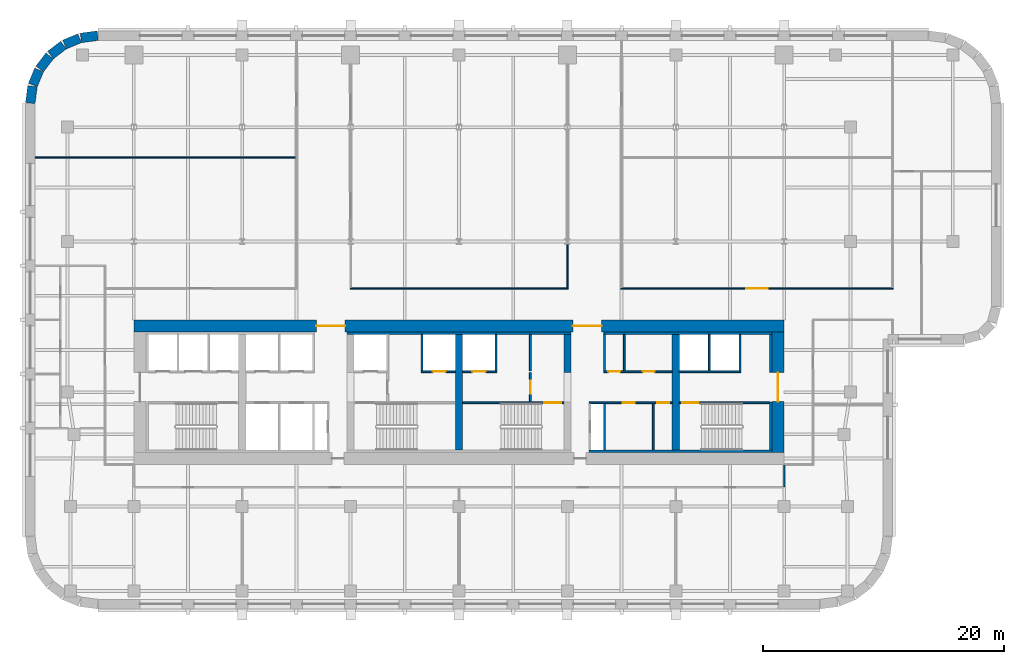
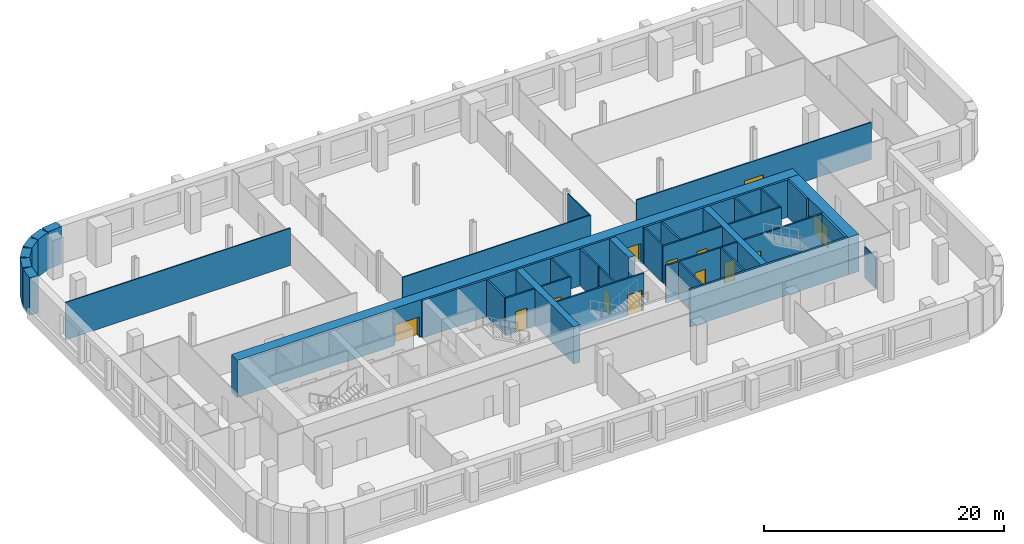
# One storey, part 5 of 9: 38 walls, 13 doors, 13 openings.
"""IFC4 building model written with IfcOpenShell, lengths in metres."""

from ifc_helpers import new_model, si_unit, direction, frame, frame_2d, origin, place, context, subcontext, project, spatial, rectangle, extrude, material, layer, layer_set, type_object, element, fill, save


model = new_model("IFC4")

# Units and contexts
model_context = context("Model", 3, precision=1e-05, world=origin(), true_north=direction((0.0, 1.0)))
body_context = subcontext(model_context, "Body", "Model", "MODEL_VIEW")
ifc_project = project(units=[si_unit("LENGTHUNIT", "METRE"), si_unit("AREAUNIT", "SQUARE_METRE"), si_unit("VOLUMEUNIT", "CUBIC_METRE"), si_unit("PLANEANGLEUNIT", "RADIAN"), si_unit("MASSUNIT", "GRAM", prefix="KILO")], contexts=[model_context])

# Site, building, storey
site_placement = place(None, origin())
site = spatial("IfcSite", under=ifc_project, at=site_placement, CompositionType="ELEMENT")
building_placement = place(site_placement, origin())
building = spatial("IfcBuilding", under=site, at=building_placement, Name="Zellij Exchange Tower", CompositionType="ELEMENT")
storey_placement = place(building_placement, frame((0.0, 0.0, 116.5)))
storey = spatial("IfcBuildingStorey", under=building, at=storey_placement, Name="L25", CompositionType="ELEMENT", Elevation=116.5)

# Walls
ifc_material_1 = material(Name="Concrete C70/85", Category="concrete")
ifc_layer_1 = layer(ifc_material_1, 0.60009765625)
ifc_layer_set_1 = layer_set([ifc_layer_1], Name="Concrete C70/85")
wall_type_1 = type_object("IfcWallType", Name="CORE-CW 600 C70/85", PredefinedType="SHEAR", material=ifc_layer_set_1)
wall_1_placement = place(storey_placement, frame((0.0, -12.800048828125, 0.0), z_axis=(0.0, 0.0, 1.0), x_axis=(0.0, 1.0, 0.0)))
element("IfcWall", 1, at=wall_1_placement, inside=storey, type_object=wall_type_1, Name="Core cross wall x 0 L25", PredefinedType="SHEAR", context=body_context, shape_type="SweptSolid", body=[
    extrude(rectangle(XDim=9.60009765625, YDim=0.60009765625, at=frame_2d((4.800048828125, 0.0))), origin(), (0.0, 0.0, 1.0), 3.800048828125),
])
wall_2_placement = place(storey_placement, frame((9.0, -6.375, 0.0), z_axis=(0.0, 0.0, 1.0), x_axis=(0.0, 1.0, 0.0)))
element("IfcWall", 2, at=wall_2_placement, inside=storey, type_object=wall_type_1, Name="Core cross wall pier x 9 b L25", PredefinedType="SHEAR", context=body_context, shape_type="SweptSolid", body=[
    extrude(rectangle(XDim=3.175048828125, YDim=0.60009765625, at=frame_2d((1.58740234375, 0.0))), origin(), (0.0, 0.0, 1.0), 3.800048828125),
])
wall_3_placement = place(storey_placement, frame((18.0, -12.800048828125, 0.0), z_axis=(0.0, 0.0, 1.0), x_axis=(0.0, 1.0, 0.0)))
element("IfcWall", 3, at=wall_3_placement, inside=storey, type_object=wall_type_1, Name="Core cross wall x 18 L25", PredefinedType="SHEAR", context=body_context, shape_type="SweptSolid", body=[
    extrude(rectangle(XDim=9.60009765625, YDim=0.60009765625, at=frame_2d((4.800048828125, 0.0))), origin(), (0.0, 0.0, 1.0), 3.800048828125),
])
ifc_material_2 = material(Name="Concrete C30/37", Category="concrete")
ifc_layer_2 = layer(ifc_material_2, 0.199951171875)
ifc_layer_set_2 = layer_set([ifc_layer_2], Name="Concrete C30/37")
wall_type_2 = type_object("IfcWallType", Name="CORE-LW 200 C30/37", PredefinedType="SHEAR", material=ifc_layer_set_2)
wall_4_placement = place(storey_placement, frame((-9.300048828125, -3.10009765625, 0.0), z_axis=(0.0, 0.0, 1.0), x_axis=(1.0, 0.0, 0.0)))
element("IfcWall", 4, at=wall_4_placement, inside=storey, type_object=wall_type_2, Name="Core wall lining front.1 L25", PredefinedType="SHEAR", context=body_context, shape_type="SweptSolid", body=[
    extrude(rectangle(XDim=18.60009765625, YDim=0.199951171875, at=frame_2d((9.300048828125, 0.0))), origin(), (0.0, 0.0, 1.0), 3.800048828125),
])
wall_5_placement = place(storey_placement, frame((12.0, -3.10009765625, 0.0), z_axis=(0.0, 0.0, 1.0), x_axis=(1.0, 0.0, 0.0)))
element("IfcWall", 5, at=wall_5_placement, inside=storey, type_object=wall_type_2, Name="Core wall lining front.2 L25", PredefinedType="SHEAR", context=body_context, shape_type="SweptSolid", body=[
    extrude(rectangle(XDim=14.0, YDim=0.199951171875, at=frame_2d((7.0, 0.0))), origin(), (0.0, 0.0, 1.0), 3.800048828125),
])
wall_6_placement = place(storey_placement, frame((10.800048828125, -12.89990234375, 0.0), z_axis=(0.0, 0.0, 1.0), x_axis=(1.0, 0.0, 0.0)))
element("IfcWall", 6, at=wall_6_placement, inside=storey, type_object=wall_type_2, Name="Core wall lining rear.2 L25", PredefinedType="SHEAR", context=body_context, shape_type="SweptSolid", body=[
    extrude(rectangle(XDim=15.199951171875, YDim=0.199951171875, at=frame_2d((7.60009765625, 0.0))), origin(), (0.0, 0.0, 1.0), 3.800048828125),
])
wall_7_placement = place(storey_placement, frame((25.89990234375, -12.800048828125, 0.0), z_axis=(0.0, 0.0, 1.0), x_axis=(0.0, 1.0, 0.0)))
element("IfcWall", 7, at=wall_7_placement, inside=storey, type_object=wall_type_2, Name="Core wall lining end e.0 L25", PredefinedType="SHEAR", context=body_context, shape_type="SweptSolid", body=[
    extrude(rectangle(XDim=4.0, YDim=0.199951171875, at=frame_2d((2.0, 0.0))), origin(), (0.0, 0.0, 1.0), 3.800048828125),
])
wall_8_placement = place(storey_placement, frame((25.89990234375, -6.375, 0.0), z_axis=(0.0, 0.0, 1.0), x_axis=(0.0, 1.0, 0.0)))
element("IfcWall", 8, at=wall_8_placement, inside=storey, type_object=wall_type_2, Name="Core wall lining end e.1 L25", PredefinedType="SHEAR", context=body_context, shape_type="SweptSolid", body=[
    extrude(rectangle(XDim=3.175048828125, YDim=0.199951171875, at=frame_2d((1.58740234375, 0.0))), origin(), (0.0, 0.0, 1.0), 3.800048828125),
])

# Wall, opening, door
ifc_material_3 = material(Name="Gypsum shaft wall system")
ifc_layer_3 = layer(ifc_material_3, 0.14990234375)
ifc_layer_set_3 = layer_set([ifc_layer_3], Name="Gypsum shaft wall system")
wall_type_3 = type_object("IfcWallType", Name="CORE-PW 150 Firefighting lobby wall", PredefinedType="PARTITIONING", material=ifc_layer_set_3)
wall_9_placement = place(storey_placement, frame((5.925048828125, -8.800048828125, 0.0), z_axis=(0.0, 0.0, 1.0), x_axis=(0.0, 1.0, 0.0)))
wall_9 = element("IfcWall", 9, at=wall_9_placement, inside=storey, type_object=wall_type_3, Name="Firefighting lobby wall L25", PredefinedType="PARTITIONING", context=body_context, shape_type="SweptSolid", body=[
    extrude(rectangle(XDim=2.425048828125, YDim=0.14990234375, at=frame_2d((1.21240234375, 0.0))), origin(), (0.0, 0.0, 1.0), 3.800048828125),
])
opening_1_placement = place(wall_9_placement, frame((0.662109375, 0.0, 0.0)))
opening_1 = element("IfcOpeningElement", 10, at=opening_1_placement, cuts=wall_9, Name="Opening CA-14.18", PredefinedType="OPENING", context=body_context, shape_type="SweptSolid", body=[
    extrude(rectangle(XDim=1.10009765625, YDim=2.10009765625, at=frame_2d((0.550048828125, 1.050048828125))), frame((0.0, 0.0869140625, 0.0), z_axis=(0.0, -1.0, 0.0), x_axis=(1.0, 0.0, 0.0)), (0.0, 0.0, 1.0), 0.173828125),
])
ifc_material_4 = material(Name="Hollow metal fire door")
door_type_1 = type_object("IfcDoorType", Name="CORE-D F Firefighting lobby door 1100x2100 1 HR", OperationType="NOTDEFINED", PredefinedType="DOOR", material=ifc_material_4)
door_1_placement = place(opening_1_placement, origin())
door_1 = element("IfcDoor", 11, at=door_1_placement, inside=storey, type_object=door_type_1, Name="Firefighting lobby door CA-14.18", OperationType="SINGLE_SWING_RIGHT", OverallHeight=2.10009765625, OverallWidth=1.10009765625, PredefinedType="DOOR", context=body_context, shape_type="SweptSolid", body=[
    extrude(rectangle(XDim=1.10009765625, YDim=2.10009765625, at=frame_2d((0.550048828125, 1.050048828125))), frame((0.0, 0.02490234375, 0.0), z_axis=(0.0, -1.0, 0.0), x_axis=(1.0, 0.0, 0.0)), (0.0, 0.0, 1.0), 0.050048828125),
])
fill(opening_1, door_1)

# Walls
ifc_material_5 = material(Name="Gypsum board partition")
ifc_layer_4 = layer(ifc_material_5, 0.14990234375)
ifc_layer_set_4 = layer_set([ifc_layer_4], Name="Gypsum board partition")
wall_type_4 = type_object("IfcWallType", Name="CORE-PW 150 Lift lobby wall", PredefinedType="PARTITIONING", material=ifc_layer_set_4)
for number, where, z_axis, x_axis, name in (
    (12, (5.925048828125, -6.22509765625, 0.0), (0.0, 0.0, 1.0), (0.0, 1.0, 0.0), "Lift lobby wall L25"),
    (13, (12.074951171875, -6.22509765625, 0.0), (0.0, 0.0, 1.0), (0.0, 1.0, 0.0), "Lift lobby wall L25"),
    (14, (13.72509765625, -6.22509765625, 0.0), (0.0, 0.0, 1.0), (0.0, 1.0, 0.0), "Lift lobby wall L25"),
):
    element("IfcWall", number, at=place(storey_placement, frame(where, z_axis=z_axis, x_axis=x_axis)), inside=storey, type_object=wall_type_4, Name=name, PredefinedType="PARTITIONING", context=body_context, shape_type="SweptSolid", body=[
        extrude(rectangle(XDim=3.025146484375, YDim=0.14990234375, at=frame_2d((1.5126953125, 0.0))), origin(), (0.0, 0.0, 1.0), 3.800048828125),
    ])
for number, where, z_axis, x_axis, name in (
    (15, (12.074951171875, -12.800048828125, 0.0), (0.0, 0.0, 1.0), (0.0, 1.0, 0.0), "Lift lobby wall L25"),
    (16, (16.125, -12.800048828125, 0.0), (0.0, 0.0, 1.0), (0.0, 1.0, 0.0), "Lift lobby wall L25"),
):
    element("IfcWall", number, at=place(storey_placement, frame(where, z_axis=z_axis, x_axis=x_axis)), inside=storey, type_object=wall_type_4, Name=name, PredefinedType="PARTITIONING", context=body_context, shape_type="SweptSolid", body=[
        extrude(rectangle(XDim=3.85009765625, YDim=0.14990234375, at=frame_2d((1.925048828125, 0.0))), origin(), (0.0, 0.0, 1.0), 3.800048828125),
    ])

# Wall, openings, doors
wall_10_placement = place(storey_placement, frame((12.0, -6.300048828125, 0.0), z_axis=(0.0, 0.0, 1.0), x_axis=(1.0, 0.0, 0.0)))
wall_10 = element("IfcWall", 17, at=wall_10_placement, inside=storey, type_object=wall_type_4, Name="Lift lobby wall L25", PredefinedType="PARTITIONING", context=body_context, shape_type="SweptSolid", body=[
    extrude(rectangle(XDim=5.699951171875, YDim=0.14990234375, at=frame_2d((2.85009765625, 0.0))), origin(), (0.0, 0.0, 1.0), 3.800048828125),
])
opening_2_placement = place(wall_10_placement, frame((0.39990234375, 0.0, 0.0)))
opening_2 = element("IfcOpeningElement", 18, at=opening_2_placement, cuts=wall_10, Name="Opening CA-14.23", PredefinedType="OPENING", context=body_context, shape_type="SweptSolid", body=[
    extrude(rectangle(XDim=1.0, YDim=2.10009765625, at=frame_2d((0.5, 1.050048828125))), frame((0.0, 0.0869140625, 0.0), z_axis=(0.0, -1.0, 0.0), x_axis=(1.0, 0.0, 0.0)), (0.0, 0.0, 1.0), 0.173828125),
])
opening_3_placement = place(wall_10_placement, frame((3.25, 0.0, 0.0)))
opening_3 = element("IfcOpeningElement", 19, at=opening_3_placement, cuts=wall_10, Name="Opening CA-14.25", PredefinedType="OPENING", context=body_context, shape_type="SweptSolid", body=[
    extrude(rectangle(XDim=1.0, YDim=2.10009765625, at=frame_2d((0.5, 1.050048828125))), frame((0.0, 0.0869140625, 0.0), z_axis=(0.0, -1.0, 0.0), x_axis=(1.0, 0.0, 0.0)), (0.0, 0.0, 1.0), 0.173828125),
])
door_type_2 = type_object("IfcDoorType", Name="CORE-D CD Core room door 1000x2100 1 HR", OperationType="NOTDEFINED", PredefinedType="DOOR", material=ifc_material_4)
door_2_placement = place(opening_2_placement, origin())
door_2 = element("IfcDoor", 20, at=door_2_placement, inside=storey, type_object=door_type_2, Name="Core room door CA-14.23", OperationType="SINGLE_SWING_LEFT", OverallHeight=2.10009765625, OverallWidth=1.0, PredefinedType="DOOR", context=body_context, shape_type="SweptSolid", body=[
    extrude(rectangle(XDim=1.0, YDim=2.10009765625, at=frame_2d((0.5, 1.050048828125))), frame((0.0, 0.02490234375, 0.0), z_axis=(0.0, -1.0, 0.0), x_axis=(1.0, 0.0, 0.0)), (0.0, 0.0, 1.0), 0.050048828125),
])
fill(opening_2, door_2)
door_3_placement = place(opening_3_placement, origin())
door_3 = element("IfcDoor", 21, at=door_3_placement, inside=storey, type_object=door_type_2, Name="Core room door CA-14.25", OperationType="SINGLE_SWING_RIGHT", OverallHeight=2.10009765625, OverallWidth=1.0, PredefinedType="DOOR", context=body_context, shape_type="SweptSolid", body=[
    extrude(rectangle(XDim=1.0, YDim=2.10009765625, at=frame_2d((0.5, 1.050048828125))), frame((0.0, 0.02490234375, 0.0), z_axis=(0.0, -1.0, 0.0), x_axis=(1.0, 0.0, 0.0)), (0.0, 0.0, 1.0), 0.050048828125),
])
fill(opening_3, door_3)

wall_11_placement = place(storey_placement, frame((10.800048828125, -8.875, 0.0), z_axis=(0.0, 0.0, 1.0), x_axis=(1.0, 0.0, 0.0)))
wall_11 = element("IfcWall", 22, at=wall_11_placement, inside=storey, type_object=wall_type_4, Name="Lift lobby wall L25", PredefinedType="PARTITIONING", context=body_context, shape_type="SweptSolid", body=[
    extrude(rectangle(XDim=6.89990234375, YDim=0.14990234375, at=frame_2d((3.449951171875, 0.0))), origin(), (0.0, 0.0, 1.0), 3.800048828125),
])
opening_4_placement = place(wall_11_placement, frame((2.800048828125, 0.0, 0.0)))
opening_4 = element("IfcOpeningElement", 23, at=opening_4_placement, cuts=wall_11, Name="Opening CA-14.24", PredefinedType="OPENING", context=body_context, shape_type="SweptSolid", body=[
    extrude(rectangle(XDim=1.0, YDim=2.10009765625, at=frame_2d((0.5, 1.050048828125))), frame((0.0, 0.0869140625, 0.0), z_axis=(0.0, -1.0, 0.0), x_axis=(1.0, 0.0, 0.0)), (0.0, 0.0, 1.0), 0.173828125),
])
opening_5_placement = place(wall_11_placement, frame((5.64990234375, 0.0, 0.0)))
opening_5 = element("IfcOpeningElement", 24, at=opening_5_placement, cuts=wall_11, Name="Opening CA-14.26", PredefinedType="OPENING", context=body_context, shape_type="SweptSolid", body=[
    extrude(rectangle(XDim=1.0, YDim=2.10009765625, at=frame_2d((0.5, 1.050048828125))), frame((0.0, 0.0869140625, 0.0), z_axis=(0.0, -1.0, 0.0), x_axis=(1.0, 0.0, 0.0)), (0.0, 0.0, 1.0), 0.173828125),
])
door_4_placement = place(opening_4_placement, origin())
door_4 = element("IfcDoor", 25, at=door_4_placement, inside=storey, type_object=door_type_2, Name="Core room door CA-14.24", OperationType="SINGLE_SWING_RIGHT", OverallHeight=2.10009765625, OverallWidth=1.0, PredefinedType="DOOR", context=body_context, shape_type="SweptSolid", body=[
    extrude(rectangle(XDim=1.0, YDim=2.10009765625, at=frame_2d((0.5, 1.050048828125))), frame((0.0, 0.02490234375, 0.0), z_axis=(0.0, -1.0, 0.0), x_axis=(1.0, 0.0, 0.0)), (0.0, 0.0, 1.0), 0.050048828125),
])
fill(opening_4, door_4)
door_5_placement = place(opening_5_placement, origin())
door_5 = element("IfcDoor", 26, at=door_5_placement, inside=storey, type_object=door_type_2, Name="Core room door CA-14.26", OperationType="SINGLE_SWING_LEFT", OverallHeight=2.10009765625, OverallWidth=1.0, PredefinedType="DOOR", context=body_context, shape_type="SweptSolid", body=[
    extrude(rectangle(XDim=1.0, YDim=2.10009765625, at=frame_2d((0.5, 1.050048828125))), frame((0.0, 0.02490234375, 0.0), z_axis=(0.0, -1.0, 0.0), x_axis=(1.0, 0.0, 0.0)), (0.0, 0.0, 1.0), 0.050048828125),
])
fill(opening_5, door_5)

# Walls
ifc_layer_5 = layer(ifc_material_3, 0.14990234375)
ifc_layer_set_5 = layer_set([ifc_layer_5], Name="Gypsum shaft wall system")
wall_type_5 = type_object("IfcWallType", Name="CORE-PW 150 Lift shaft wall", PredefinedType="PARTITIONING", material=ifc_layer_set_5)
for number, where, z_axis, x_axis, name in (
    (27, (-3.074951171875, -6.22509765625, 0.0), (0.0, 0.0, 1.0), (0.0, 1.0, 0.0), "Lift shaft wall L25"),
    (28, (3.074951171875, -6.22509765625, 0.0), (0.0, 0.0, 1.0), (0.0, 1.0, 0.0), "Lift shaft wall L25"),
    (29, (20.77490234375, -6.22509765625, 0.0), (0.0, 0.0, 1.0), (0.0, 1.0, 0.0), "Lift shaft wall L25"),
    (30, (23.324951171875, -6.22509765625, 0.0), (0.0, 0.0, 1.0), (0.0, 1.0, 0.0), "Lift shaft wall L25"),
):
    element("IfcWall", number, at=place(storey_placement, frame(where, z_axis=z_axis, x_axis=x_axis)), inside=storey, type_object=wall_type_5, Name=name, PredefinedType="PARTITIONING", context=body_context, shape_type="SweptSolid", body=[
        extrude(rectangle(XDim=3.025146484375, YDim=0.14990234375, at=frame_2d((1.5126953125, 0.0))), origin(), (0.0, 0.0, 1.0), 3.800048828125),
    ])

# Wall, opening, door
wall_12_placement = place(storey_placement, frame((-3.14990234375, -6.300048828125, 0.0), z_axis=(0.0, 0.0, 1.0), x_axis=(1.0, 0.0, 0.0)))
wall_12 = element("IfcWall", 31, at=wall_12_placement, inside=storey, type_object=wall_type_5, Name="Lift shaft wall L25", PredefinedType="PARTITIONING", context=body_context, shape_type="SweptSolid", body=[
    extrude(rectangle(XDim=2.849853515625, YDim=0.14990234375, at=frame_2d((1.4248046875, 0.0))), origin(), (0.0, 0.0, 1.0), 3.800048828125),
])
opening_6_placement = place(wall_12_placement, frame((0.949951171875, 0.0, 0.0)))
opening_6 = element("IfcOpeningElement", 32, at=opening_6_placement, cuts=wall_12, Name="Opening CA-14.16", PredefinedType="OPENING", context=body_context, shape_type="SweptSolid", body=[
    extrude(rectangle(XDim=1.10009765625, YDim=2.10009765625, at=frame_2d((0.550048828125, 1.050048828125))), frame((0.0, 0.0869140625, 0.0), z_axis=(0.0, -1.0, 0.0), x_axis=(1.0, 0.0, 0.0)), (0.0, 0.0, 1.0), 0.173828125),
])
door_type_3 = type_object("IfcDoorType", Name="CORE-D LD Lift landing door 1100x2100 1.5 HR", OperationType="NOTDEFINED", PredefinedType="DOOR", material=ifc_material_4)
door_6_placement = place(opening_6_placement, origin())
door_6 = element("IfcDoor", 33, at=door_6_placement, inside=storey, type_object=door_type_3, Name="Lift landing door CA-14.16", OperationType="SLIDING_TO_RIGHT", OverallHeight=2.10009765625, OverallWidth=1.10009765625, PredefinedType="DOOR", context=body_context, shape_type="SweptSolid", body=[
    extrude(rectangle(XDim=1.10009765625, YDim=2.10009765625, at=frame_2d((0.550048828125, 1.050048828125))), frame((0.0, 0.02490234375, 0.0), z_axis=(0.0, -1.0, 0.0), x_axis=(1.0, 0.0, 0.0)), (0.0, 0.0, 1.0), 0.050048828125),
])
fill(opening_6, door_6)

wall_13_placement = place(storey_placement, frame((0.300048828125, -6.300048828125, 0.0), z_axis=(0.0, 0.0, 1.0), x_axis=(1.0, 0.0, 0.0)))
wall_13 = element("IfcWall", 34, at=wall_13_placement, inside=storey, type_object=wall_type_5, Name="Lift shaft wall L25", PredefinedType="PARTITIONING", context=body_context, shape_type="SweptSolid", body=[
    extrude(rectangle(XDim=2.849853515625, YDim=0.14990234375, at=frame_2d((1.4248046875, 0.0))), origin(), (0.0, 0.0, 1.0), 3.800048828125),
])
opening_7_placement = place(wall_13_placement, frame((0.800048828125, 0.0, 0.0)))
opening_7 = element("IfcOpeningElement", 35, at=opening_7_placement, cuts=wall_13, Name="Opening CA-14.17", PredefinedType="OPENING", context=body_context, shape_type="SweptSolid", body=[
    extrude(rectangle(XDim=1.10009765625, YDim=2.10009765625, at=frame_2d((0.550048828125, 1.050048828125))), frame((0.0, 0.0869140625, 0.0), z_axis=(0.0, -1.0, 0.0), x_axis=(1.0, 0.0, 0.0)), (0.0, 0.0, 1.0), 0.173828125),
])
door_7_placement = place(opening_7_placement, origin())
door_7 = element("IfcDoor", 36, at=door_7_placement, inside=storey, type_object=door_type_3, Name="Lift landing door CA-14.17", OperationType="SLIDING_TO_LEFT", OverallHeight=2.10009765625, OverallWidth=1.10009765625, PredefinedType="DOOR", context=body_context, shape_type="SweptSolid", body=[
    extrude(rectangle(XDim=1.10009765625, YDim=2.10009765625, at=frame_2d((0.550048828125, 1.050048828125))), frame((0.0, 0.02490234375, 0.0), z_axis=(0.0, -1.0, 0.0), x_axis=(1.0, 0.0, 0.0)), (0.0, 0.0, 1.0), 0.050048828125),
])
fill(opening_7, door_7)

# Wall
wall_14_placement = place(storey_placement, frame((18.300048828125, -6.300048828125, 0.0), z_axis=(0.0, 0.0, 1.0), x_axis=(1.0, 0.0, 0.0)))
element("IfcWall", 37, at=wall_14_placement, inside=storey, type_object=wall_type_5, Name="Lift shaft wall L25", PredefinedType="PARTITIONING", context=body_context, shape_type="SweptSolid", body=[
    extrude(rectangle(XDim=5.099853515625, YDim=0.14990234375, at=frame_2d((2.5498046875, 0.0))), origin(), (0.0, 0.0, 1.0), 3.800048828125),
])

# Wall, openings, doors
ifc_layer_6 = layer(ifc_material_1, 1.0)
ifc_layer_set_6 = layer_set([ifc_layer_6], Name="Concrete C70/85")
wall_type_6 = type_object("IfcWallType", Name="CORE-SW 1000 C70/85", PredefinedType="SHEAR", material=ifc_layer_set_6)
wall_15_placement = place(storey_placement, frame((-27.0, -2.5, 0.0), z_axis=(0.0, 0.0, 1.0), x_axis=(1.0, 0.0, 0.0)))
wall_15 = element("IfcWall", 38, at=wall_15_placement, inside=storey, type_object=wall_type_6, Name="Core shear wall front L25", PredefinedType="SHEAR", context=body_context, shape_type="SweptSolid", body=[
    extrude(rectangle(XDim=54.0, YDim=1.0, at=frame_2d((27.0, 0.0))), origin(), (0.0, 0.0, 1.0), 3.800048828125),
])
opening_8_placement = place(wall_15_placement, frame((15.14990234375, 0.0, 0.0)))
opening_8 = element("IfcOpeningElement", 39, at=opening_8_placement, cuts=wall_15, Name="Opening CA-14.11", PredefinedType="OPENING", context=body_context, shape_type="SweptSolid", body=[
    extrude(rectangle(XDim=2.39990234375, YDim=2.10009765625, at=frame_2d((1.199951171875, 1.050048828125))), frame((0.0, 0.511962890625, 0.0), z_axis=(0.0, -1.0, 0.0), x_axis=(1.0, 0.0, 0.0)), (0.0, 0.0, 1.0), 1.02392578125),
])
opening_9_placement = place(wall_15_placement, frame((36.449951171875, 0.0, 0.0)))
opening_9 = element("IfcOpeningElement", 40, at=opening_9_placement, cuts=wall_15, Name="Opening CA-14.21", PredefinedType="OPENING", context=body_context, shape_type="SweptSolid", body=[
    extrude(rectangle(XDim=2.39990234375, YDim=2.10009765625, at=frame_2d((1.199951171875, 1.050048828125))), frame((0.0, 0.511962890625, 0.0), z_axis=(0.0, -1.0, 0.0), x_axis=(1.0, 0.0, 0.0)), (0.0, 0.0, 1.0), 1.02392578125),
])
door_type_4 = type_object("IfcDoorType", Name="CORE-D CE Core entrance door 2400x2100 20 MIN", OperationType="NOTDEFINED", PredefinedType="DOOR", material=ifc_material_4)
door_8_placement = place(opening_8_placement, origin())
door_8 = element("IfcDoor", 41, at=door_8_placement, inside=storey, type_object=door_type_4, Name="Core entrance door CA-14.11", OperationType="DOUBLE_DOOR_SINGLE_SWING", OverallHeight=2.10009765625, OverallWidth=2.39990234375, PredefinedType="DOOR", context=body_context, shape_type="SweptSolid", body=[
    extrude(rectangle(XDim=2.39990234375, YDim=2.10009765625, at=frame_2d((1.199951171875, 1.050048828125))), frame((0.0, 0.02490234375, 0.0), z_axis=(0.0, -1.0, 0.0), x_axis=(1.0, 0.0, 0.0)), (0.0, 0.0, 1.0), 0.050048828125),
])
fill(opening_8, door_8)
door_9_placement = place(opening_9_placement, origin())
door_9 = element("IfcDoor", 42, at=door_9_placement, inside=storey, type_object=door_type_4, Name="Core entrance door CA-14.21", OperationType="DOUBLE_DOOR_SINGLE_SWING", OverallHeight=2.10009765625, OverallWidth=2.39990234375, PredefinedType="DOOR", context=body_context, shape_type="SweptSolid", body=[
    extrude(rectangle(XDim=2.39990234375, YDim=2.10009765625, at=frame_2d((1.199951171875, 1.050048828125))), frame((0.0, 0.02490234375, 0.0), z_axis=(0.0, -1.0, 0.0), x_axis=(1.0, 0.0, 0.0)), (0.0, 0.0, 1.0), 0.050048828125),
])
fill(opening_9, door_9)

# Wall, opening, door
wall_16_placement = place(storey_placement, frame((26.5, -13.0, 0.0), z_axis=(0.0, 0.0, 1.0), x_axis=(0.0, 1.0, 0.0)))
wall_16 = element("IfcWall", 43, at=wall_16_placement, inside=storey, type_object=wall_type_6, Name="Core shear wall end e L25", PredefinedType="SHEAR", context=body_context, shape_type="SweptSolid", body=[
    extrude(rectangle(XDim=10.0, YDim=1.0, at=frame_2d((5.0, 0.0))), origin(), (0.0, 0.0, 1.0), 3.800048828125),
])
opening_10_placement = place(wall_16_placement, frame((4.2119140625, 0.0, 0.0)))
opening_10 = element("IfcOpeningElement", 44, at=opening_10_placement, cuts=wall_16, Name="Opening CA-14.28", PredefinedType="OPENING", context=body_context, shape_type="SweptSolid", body=[
    extrude(rectangle(XDim=2.39990234375, YDim=2.10009765625, at=frame_2d((1.199951171875, 1.050048828125))), frame((0.0, 0.511962890625, 0.0), z_axis=(0.0, -1.0, 0.0), x_axis=(1.0, 0.0, 0.0)), (0.0, 0.0, 1.0), 1.02392578125),
])
door_10_placement = place(opening_10_placement, origin())
door_10 = element("IfcDoor", 45, at=door_10_placement, inside=storey, type_object=door_type_4, Name="Core entrance door CA-14.28", OperationType="DOUBLE_DOOR_SINGLE_SWING", OverallHeight=2.10009765625, OverallWidth=2.39990234375, PredefinedType="DOOR", context=body_context, shape_type="SweptSolid", body=[
    extrude(rectangle(XDim=2.39990234375, YDim=2.10009765625, at=frame_2d((1.199951171875, 1.050048828125))), frame((0.0, 0.02490234375, 0.0), z_axis=(0.0, -1.0, 0.0), x_axis=(1.0, 0.0, 0.0)), (0.0, 0.0, 1.0), 0.050048828125),
])
fill(opening_10, door_10)

ifc_layer_7 = layer(ifc_material_1, 0.14990234375)
ifc_layer_set_7 = layer_set([ifc_layer_7], Name="Concrete C70/85")
wall_type_7 = type_object("IfcWallType", Name="CORE-SWS 150 C70/85", PredefinedType="SHEAR", material=ifc_layer_set_7)
wall_17_placement = place(storey_placement, frame((0.300048828125, -8.875, 0.0), z_axis=(0.0, 0.0, 1.0), x_axis=(1.0, 0.0, 0.0)))
wall_17 = element("IfcWall", 46, at=wall_17_placement, inside=storey, type_object=wall_type_7, Name="Stair enclosure wall L25", PredefinedType="SHEAR", context=body_context, shape_type="SweptSolid", body=[
    extrude(rectangle(XDim=8.39990234375, YDim=0.14990234375, at=frame_2d((4.199951171875, 0.0))), origin(), (0.0, 0.0, 1.0), 3.800048828125),
])
opening_11_placement = place(wall_17_placement, frame((6.77490234375, 0.0, 0.0)))
opening_11 = element("IfcOpeningElement", 47, at=opening_11_placement, cuts=wall_17, Name="Opening CA-14.19", PredefinedType="OPENING", context=body_context, shape_type="SweptSolid", body=[
    extrude(rectangle(XDim=1.39990234375, YDim=2.10009765625, at=frame_2d((0.699951171875, 1.050048828125))), frame((0.0, 0.0869140625, 0.0), z_axis=(0.0, -1.0, 0.0), x_axis=(1.0, 0.0, 0.0)), (0.0, 0.0, 1.0), 0.173828125),
])
door_type_5 = type_object("IfcDoorType", Name="CORE-D SD Stair door 1400x2100 1.5 HR", OperationType="NOTDEFINED", PredefinedType="DOOR", material=ifc_material_4)
door_11_placement = place(opening_11_placement, origin())
door_11 = element("IfcDoor", 48, at=door_11_placement, inside=storey, type_object=door_type_5, Name="Stair door CA-14.19", OperationType="DOUBLE_DOOR_SINGLE_SWING", OverallHeight=2.10009765625, OverallWidth=1.39990234375, PredefinedType="DOOR", context=body_context, shape_type="SweptSolid", body=[
    extrude(rectangle(XDim=1.39990234375, YDim=2.10009765625, at=frame_2d((0.699951171875, 1.050048828125))), frame((0.0, 0.02490234375, 0.0), z_axis=(0.0, -1.0, 0.0), x_axis=(1.0, 0.0, 0.0)), (0.0, 0.0, 1.0), 0.050048828125),
])
fill(opening_11, door_11)

wall_18_placement = place(storey_placement, frame((18.300048828125, -8.875, 0.0), z_axis=(0.0, 0.0, 1.0), x_axis=(1.0, 0.0, 0.0)))
wall_18 = element("IfcWall", 49, at=wall_18_placement, inside=storey, type_object=wall_type_7, Name="Stair enclosure wall L25", PredefinedType="SHEAR", context=body_context, shape_type="SweptSolid", body=[
    extrude(rectangle(XDim=7.5, YDim=0.14990234375, at=frame_2d((3.75, 0.0))), origin(), (0.0, 0.0, 1.0), 3.800048828125),
])
opening_12_placement = place(wall_18_placement, frame((0.22509765625, 0.0, 0.0)))
opening_12 = element("IfcOpeningElement", 50, at=opening_12_placement, cuts=wall_18, Name="Opening CA-14.27", PredefinedType="OPENING", context=body_context, shape_type="SweptSolid", body=[
    extrude(rectangle(XDim=1.39990234375, YDim=2.10009765625, at=frame_2d((0.699951171875, 1.050048828125))), frame((0.0, 0.0869140625, 0.0), z_axis=(0.0, -1.0, 0.0), x_axis=(1.0, 0.0, 0.0)), (0.0, 0.0, 1.0), 0.173828125),
])
door_12_placement = place(opening_12_placement, origin())
door_12 = element("IfcDoor", 51, at=door_12_placement, inside=storey, type_object=door_type_5, Name="Stair door CA-14.27", OperationType="DOUBLE_DOOR_SINGLE_SWING", OverallHeight=2.10009765625, OverallWidth=1.39990234375, PredefinedType="DOOR", context=body_context, shape_type="SweptSolid", body=[
    extrude(rectangle(XDim=1.39990234375, YDim=2.10009765625, at=frame_2d((0.699951171875, 1.050048828125))), frame((0.0, 0.02490234375, 0.0), z_axis=(0.0, -1.0, 0.0), x_axis=(1.0, 0.0, 0.0)), (0.0, 0.0, 1.0), 0.050048828125),
])
fill(opening_12, door_12)

# Walls
ifc_material_6 = material(Name="Precast concrete C40/50", Category="concrete")
ifc_layer_8 = layer(ifc_material_6, 0.800048828125)
ifc_layer_set_8 = layer_set([ifc_layer_8], Name="Precast concrete C40/50")
wall_type_8 = type_object("IfcWallType", Name="ENV-EW1 Precast stone-piered wall 800", PredefinedType="SOLIDWALL", material=ifc_layer_set_8)
wall_19_placement = place(storey_placement, frame((-29.999755859375, 21.5966796875, 0.0), z_axis=(0.0, 0.0, 1.0), x_axis=(-0.99144603414, -0.130517283865, 0.0)))
element("IfcWall", 52, at=wall_19_placement, inside=storey, type_object=wall_type_8, Name="fac.L25.20", PredefinedType="SOLIDWALL", context=body_context, shape_type="SweptSolid", body=[
    extrude(rectangle(XDim=1.408447265625, YDim=0.800048828125, at=frame_2d((0.7041015625, 0.0))), origin(), (0.0, 0.0, 1.0), 3.800048828125),
])
wall_20_placement = place(storey_placement, frame((-31.497314453125, 21.3857421875, 0.0), z_axis=(0.0, 0.0, 1.0), x_axis=(-0.923847774587, -0.38276009378, 0.0)))
element("IfcWall", 53, at=wall_20_placement, inside=storey, type_object=wall_type_8, Name="fac.L25.21", PredefinedType="SOLIDWALL", context=body_context, shape_type="SweptSolid", body=[
    extrude(rectangle(XDim=1.35546875, YDim=0.800048828125, at=frame_2d((0.677734375, 0.0))), origin(), (0.0, 0.0, 1.0), 3.800048828125),
])
for number, where, z_axis, x_axis, name in (
    (54, (-32.840087890625, 20.814697265625, 0.0), (0.0, 0.0, 1.0), (-0.793272915452, -0.608866226366, 0.0), "fac.L25.22"),
    (55, (-33.9892578125, 19.91552734375, 0.0), (0.0, 0.0, 1.0), (-0.608866226366, -0.793272915452, 0.0), "fac.L25.23"),
):
    element("IfcWall", number, at=place(storey_placement, frame(where, z_axis=z_axis, x_axis=x_axis)), inside=storey, type_object=wall_type_8, Name=name, PredefinedType="SOLIDWALL", context=body_context, shape_type="SweptSolid", body=[
        extrude(rectangle(XDim=1.355712890625, YDim=0.800048828125, at=frame_2d((0.677734375, 0.0))), origin(), (0.0, 0.0, 1.0), 3.800048828125),
    ])
wall_21_placement = place(storey_placement, frame((-34.866943359375, 18.74951171875, 0.0), z_axis=(0.0, 0.0, 1.0), x_axis=(-0.38276009378, -0.923847774587, 0.0)))
element("IfcWall", 56, at=wall_21_placement, inside=storey, type_object=wall_type_8, Name="fac.L25.24", PredefinedType="SOLIDWALL", context=body_context, shape_type="SweptSolid", body=[
    extrude(rectangle(XDim=1.35546875, YDim=0.800048828125, at=frame_2d((0.677734375, 0.0))), origin(), (0.0, 0.0, 1.0), 3.800048828125),
])
wall_22_placement = place(storey_placement, frame((-35.412841796875, 17.396240234375, 0.0), z_axis=(0.0, 0.0, 1.0), x_axis=(-0.130517283865, -0.99144603414, 0.0)))
element("IfcWall", 57, at=wall_22_placement, inside=storey, type_object=wall_type_8, Name="fac.L25.25", PredefinedType="SOLIDWALL", context=body_context, shape_type="SweptSolid", body=[
    extrude(rectangle(XDim=1.408447265625, YDim=0.800048828125, at=frame_2d((0.7041015625, 0.0))), origin(), (0.0, 0.0, 1.0), 3.800048828125),
])
ifc_material_7 = material(Name="Gypsum board partition on steel studs", Category="steel")
ifc_layer_9 = layer(ifc_material_7, 0.10009765625)
ifc_layer_set_9 = layer_set([ifc_layer_9], Name="Gypsum board partition on steel studs")
wall_type_9 = type_object("IfcWallType", Name="FIT-PARTITION-100", PredefinedType="PARTITIONING", material=ifc_layer_set_9)
wall_23_placement = place(storey_placement, frame((27.0, -15.85009765625, 0.0), z_axis=(0.0, 0.0, 1.0), x_axis=(0.0, 1.0, 0.0)))
element("IfcWall", 58, at=wall_23_placement, inside=storey, type_object=wall_type_9, Name="FIT-PARTITION-100 009", PredefinedType="PARTITIONING", context=body_context, shape_type="SweptSolid", body=[
    extrude(rectangle(XDim=1.800048828125, YDim=0.10009765625, at=frame_2d((0.89990234375, 0.0))), origin(), (0.0, 0.0, 1.0), 3.18798828125),
])
wall_24_placement = place(storey_placement, frame((-9.050048828125, 0.60009765625, 0.0), z_axis=(0.0, 0.0, 1.0), x_axis=(1.0, 0.0, 0.0)))
element("IfcWall", 59, at=wall_24_placement, inside=storey, type_object=wall_type_9, Name="FIT-PARTITION-100 026", PredefinedType="PARTITIONING", context=body_context, shape_type="SweptSolid", body=[
    extrude(rectangle(XDim=18.10009765625, YDim=0.10009765625, at=frame_2d((9.050048828125, 0.0))), origin(), (0.0, 0.0, 1.0), 3.800048828125),
])
wall_25_placement = place(storey_placement, frame((9.0, 0.64990234375, 0.0), z_axis=(0.0, 0.0, 1.0), x_axis=(0.0, 1.0, 0.0)))
element("IfcWall", 60, at=wall_25_placement, inside=storey, type_object=wall_type_9, Name="FIT-PARTITION-100 030", PredefinedType="PARTITIONING", context=body_context, shape_type="SweptSolid", body=[
    extrude(rectangle(XDim=3.622802734375, YDim=0.10009765625, at=frame_2d((1.8115234375, 0.0))), origin(), (0.0, 0.0, 1.0), 3.800048828125),
])

# Wall, opening, door
wall_26_placement = place(storey_placement, frame((13.449951171875, 0.60009765625, 0.0), z_axis=(0.0, 0.0, 1.0), x_axis=(1.0, 0.0, 0.0)))
wall_26 = element("IfcWall", 61, at=wall_26_placement, inside=storey, type_object=wall_type_9, Name="FIT-PARTITION-100 033", PredefinedType="PARTITIONING", context=body_context, shape_type="SweptSolid", body=[
    extrude(rectangle(XDim=22.60009765625, YDim=0.10009765625, at=frame_2d((11.300048828125, 0.0))), origin(), (0.0, 0.0, 1.0), 3.800048828125),
])
opening_13_placement = place(wall_26_placement, frame((10.39990234375, 0.0, 0.0)))
opening_13 = element("IfcOpeningElement", 62, at=opening_13_placement, cuts=wall_26, Name="Opening TE.11", PredefinedType="OPENING", context=body_context, shape_type="SweptSolid", body=[
    extrude(rectangle(XDim=1.800048828125, YDim=2.10009765625, at=frame_2d((0.89990234375, 1.050048828125))), frame((0.0, 0.06201171875, 0.0), z_axis=(0.0, -1.0, 0.0), x_axis=(1.0, 0.0, 0.0)), (0.0, 0.0, 1.0), 0.1240234375),
])
ifc_material_8 = material(Name="Timber door set", Category="wood")
door_type_6 = type_object("IfcDoorType", Name="FIT-D3-DOUBLE-1800X2100", OperationType="DOUBLE_DOOR_SINGLE_SWING", PredefinedType="DOOR", material=ifc_material_8)
door_13_placement = place(opening_13_placement, origin())
door_13 = element("IfcDoor", 63, at=door_13_placement, inside=storey, type_object=door_type_6, Name="Door TE.11", OperationType="DOUBLE_DOOR_SINGLE_SWING", OverallHeight=2.10009765625, OverallWidth=1.800048828125, PredefinedType="DOOR", context=body_context, shape_type="SweptSolid", body=[
    extrude(rectangle(XDim=1.800048828125, YDim=2.10009765625, at=frame_2d((0.89990234375, 1.050048828125))), frame((0.0, 0.02490234375, 0.0), z_axis=(0.0, -1.0, 0.0), x_axis=(1.0, 0.0, 0.0)), (0.0, 0.0, 1.0), 0.050048828125),
])
fill(opening_13, door_13)

# Wall
wall_27_placement = place(storey_placement, frame((-35.199951171875, 11.47998046875, 0.0), z_axis=(0.0, 0.0, 1.0), x_axis=(1.0, 0.0, 0.0)))
element("IfcWall", 64, at=wall_27_placement, inside=storey, type_object=wall_type_9, Name="FIT-PARTITION-100 039", PredefinedType="PARTITIONING", context=body_context, shape_type="SweptSolid", body=[
    extrude(rectangle(XDim=21.64990234375, YDim=0.10009765625, at=frame_2d((10.824951171875, 0.0))), origin(), (0.0, 0.0, 1.0), 3.800048828125),
])

save(model, "model.ifc")
